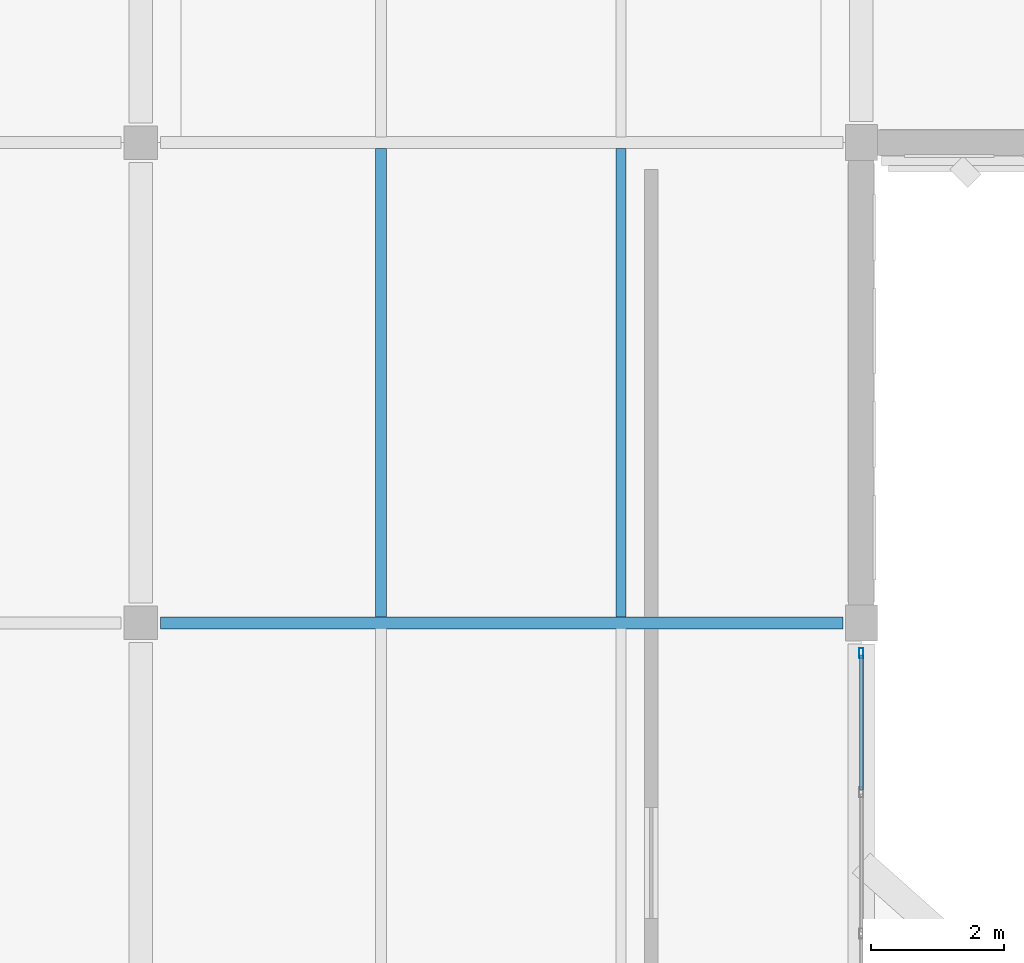
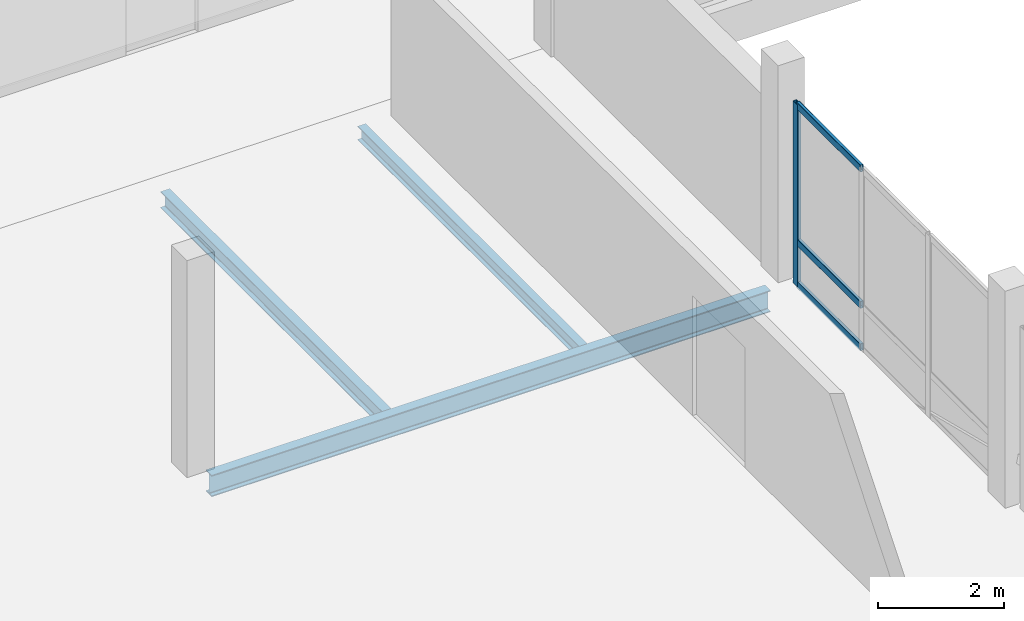
# One storey, part 18 of 72: 4 members, 3 beams, 1 element without a shape of its own.
"""IFC4 building model written with IfcOpenShell, lengths in metres."""

from ifc_helpers import new_model, si_unit, direction, frame, origin, origin_2d, place, context, subcontext, project, spatial, hollow_rectangle, i_section, extrude, material, material_profile, profile_set, type_object, element, aggregate, save


model = new_model("IFC4")

# Units and contexts
model_context = context("Model", 3, precision=1e-05, world=origin(), true_north=direction((0.0, 1.0)))
body_context = subcontext(model_context, "Body", "Model", "MODEL_VIEW")
ifc_project = project(units=[si_unit("LENGTHUNIT", "METRE"), si_unit("AREAUNIT", "SQUARE_METRE"), si_unit("VOLUMEUNIT", "CUBIC_METRE"), si_unit("PLANEANGLEUNIT", "RADIAN"), si_unit("MASSUNIT", "GRAM", prefix="KILO")], contexts=[model_context])

# Site, building, storey
site_placement = place(None, origin())
site = spatial("IfcSite", under=ifc_project, at=site_placement, CompositionType="ELEMENT")
building_placement = place(site_placement, origin())
building = spatial("IfcBuilding", under=site, at=building_placement, Name="Lusvemor Sports Hall", CompositionType="ELEMENT")
storey_placement = place(building_placement, frame((0.0, 0.0, 15.0)))
storey = spatial("IfcBuildingStorey", under=building, at=storey_placement, Name="L03", CompositionType="ELEMENT", Elevation=15.0)

# Beam
ifc_material_1 = material(Name="Steel S355", Category="steel")
ifc_material_profile_1 = material_profile(ifc_material_1, i_section(OverallWidth=0.180908203125, OverallDepth=0.4169921875, WebThickness=0.010986328125, FlangeThickness=0.018310546875, FilletRadius=0.01611328125, at=origin_2d()), Name="W410x85.0")
ifc_profile_set_1 = profile_set([ifc_material_profile_1], Name="Steel S355")
beam_type_1 = type_object("IfcBeamType", Name="BEAM_ST_410H", PredefinedType="BEAM", material=ifc_profile_set_1)
beam_1_placement = place(storey_placement, frame((11.095947265625, 90.0, -0.452392578125), z_axis=(1.0, 0.0, 0.0), x_axis=(0.0, 1.0, 0.0)))
element("IfcBeam", 1, at=beam_1_placement, inside=storey, type_object=beam_type_1, Name="Beam L03 M:2-3", PredefinedType="BEAM", context=body_context, shape_type="SweptSolid", body=[
    extrude(i_section(OverallWidth=0.180908203125, OverallDepth=0.4169921875, WebThickness=0.010986328125, FlangeThickness=0.018310546875, FilletRadius=0.01611328125, at=origin_2d()), origin(), (0.0, 0.0, 1.0), 10.22802734375),
])

# Curtain wall, members
ifc_material_2 = material(Name="Thermally broken bronze-anodized aluminium", Category="aluminium")
curtain_wall_type = type_object("IfcCurtainWallType", Name="CW_WING_B", PredefinedType="NOTDEFINED", material=ifc_material_2)
curtain_wall_placement = place(storey_placement, origin())
curtain_wall = element("IfcCurtainWall", 2, at=curtain_wall_placement, inside=storey, type_object=curtain_wall_type, Name="Curtain Wall CW-L03-E-4-4", PredefinedType="NOTDEFINED")
ifc_material_3 = material(Name="Thermally broken bronze-anodized aluminium", Category="aluminium")
ifc_material_profile_2 = material_profile(ifc_material_3, hollow_rectangle(XDim=0.06494140625, YDim=0.14990234375, WallThickness=0.00390625, InnerFilletRadius=0.00390625, OuterFilletRadius=0.008056640625, at=origin_2d()), Name="CWMUL150x65x4")
ifc_profile_set_2 = profile_set([ifc_material_profile_2], Name="Thermally broken bronze-anodized aluminium")
member_type_1 = type_object("IfcMemberType", Name="CW_MUL_B", PredefinedType="MULLION", material=ifc_profile_set_2)
member_1_placement = place(storey_placement, frame((21.60009765625, 89.547607421875, 0.0), z_axis=(0.0, 0.0, 1.0), x_axis=(1.0, 0.0, 0.0)))
member_1 = element("IfcMember", 3, at=member_1_placement, type_object=member_type_1, Name="CW02 mullion 1", PredefinedType="MULLION", context=body_context, shape_type="SweptSolid", body=[
    extrude(hollow_rectangle(XDim=0.06494140625, YDim=0.14990234375, WallThickness=0.00390625, InnerFilletRadius=0.00390625, OuterFilletRadius=0.008056640625, at=origin_2d()), origin(), (0.0, 0.0, 1.0), 3.52001953125),
])
ifc_material_4 = material(Name="Thermally broken bronze-anodized aluminium", Category="aluminium")
ifc_material_profile_3 = material_profile(ifc_material_4, hollow_rectangle(XDim=0.06005859375, YDim=0.135009765625, WallThickness=0.00390625, InnerFilletRadius=0.00390625, OuterFilletRadius=0.008056640625, at=origin_2d()), Name="CWTRN135x60x4")
ifc_profile_set_3 = profile_set([ifc_material_profile_3], Name="Thermally broken bronze-anodized aluminium")
member_type_2 = type_object("IfcMemberType", Name="CW_TRN_B", PredefinedType="USERDEFINED", material=ifc_profile_set_3)
member_2_placement = place(storey_placement, frame((21.60009765625, 89.514892578125, 0.030029296875), z_axis=(0.0, -1.0, 0.0), x_axis=(1.0, 0.0, 0.0)))
member_2 = element("IfcMember", 4, at=member_2_placement, type_object=member_type_2, Name="CW02 transom 1.1", ObjectType="TRANSOM", PredefinedType="USERDEFINED", context=body_context, shape_type="SweptSolid", body=[
    extrude(hollow_rectangle(XDim=0.06005859375, YDim=0.135009765625, WallThickness=0.00390625, InnerFilletRadius=0.00390625, OuterFilletRadius=0.008056640625, at=origin_2d()), origin(), (0.0, 0.0, 1.0), 2.0224609375),
])
member_3_placement = place(storey_placement, frame((21.60009765625, 89.514892578125, 0.85009765625), z_axis=(0.0, -1.0, 0.0), x_axis=(1.0, 0.0, 0.0)))
member_3 = element("IfcMember", 5, at=member_3_placement, type_object=member_type_2, Name="CW02 transom 1.2", ObjectType="TRANSOM", PredefinedType="USERDEFINED", context=body_context, shape_type="SweptSolid", body=[
    extrude(hollow_rectangle(XDim=0.06005859375, YDim=0.135009765625, WallThickness=0.00390625, InnerFilletRadius=0.00390625, OuterFilletRadius=0.008056640625, at=origin_2d()), origin(), (0.0, 0.0, 1.0), 2.0224609375),
])
member_4_placement = place(storey_placement, frame((21.60009765625, 89.514892578125, 3.489990234375), z_axis=(0.0, -1.0, 0.0), x_axis=(1.0, 0.0, 0.0)))
member_4 = element("IfcMember", 6, at=member_4_placement, type_object=member_type_2, Name="CW02 transom 1.3", ObjectType="TRANSOM", PredefinedType="USERDEFINED", context=body_context, shape_type="SweptSolid", body=[
    extrude(hollow_rectangle(XDim=0.06005859375, YDim=0.135009765625, WallThickness=0.00390625, InnerFilletRadius=0.00390625, OuterFilletRadius=0.008056640625, at=origin_2d()), origin(), (0.0, 0.0, 1.0), 2.0224609375),
])
aggregate(curtain_wall, [member_1, member_2, member_3, member_4])

# Beams
ifc_material_5 = material(Name="Steel S355", Category="steel")
ifc_material_profile_4 = material_profile(ifc_material_5, i_section(OverallWidth=0.14794921875, OverallDepth=0.26611328125, WebThickness=0.007568359375, FlangeThickness=0.012939453125, FilletRadius=0.012939453125, at=origin_2d()), Name="W250x44.8")
ifc_profile_set_4 = profile_set([ifc_material_profile_4], Name="Steel S355")
beam_type_2 = type_object("IfcBeamType", Name="JOIST_ST_250M", PredefinedType="JOIST", material=ifc_profile_set_4)
beam_2_placement = place(storey_placement, frame((18.0, 90.08642578125, -0.376953125), z_axis=(0.0, 1.0, 0.0), x_axis=(-1.0, 0.0, 0.0)))
element("IfcBeam", 7, at=beam_2_placement, inside=storey, type_object=beam_type_2, Name="Secondary Joist L03 2-3/M-N #2", PredefinedType="JOIST", context=body_context, shape_type="SweptSolid", body=[
    extrude(i_section(OverallWidth=0.14794921875, OverallDepth=0.26611328125, WebThickness=0.007568359375, FlangeThickness=0.012939453125, FilletRadius=0.012939453125, at=origin_2d()), origin(), (0.0, 0.0, 1.0), 7.027099609375),
])
ifc_material_6 = material(Name="Steel S355", Category="steel")
ifc_material_profile_5 = material_profile(ifc_material_6, i_section(OverallWidth=0.1669921875, OverallDepth=0.31689453125, WebThickness=0.007568359375, FlangeThickness=0.01318359375, FilletRadius=0.014892578125, at=origin_2d()), Name="W310x52.0")
ifc_profile_set_5 = profile_set([ifc_material_profile_5], Name="Steel S355")
beam_type_3 = type_object("IfcBeamType", Name="JOIST_ST_310M", PredefinedType="JOIST", material=ifc_profile_set_5)
beam_3_placement = place(storey_placement, frame((14.39990234375, 90.08642578125, -0.402587890625), z_axis=(0.0, 1.0, 0.0), x_axis=(-1.0, 0.0, 0.0)))
element("IfcBeam", 8, at=beam_3_placement, inside=storey, type_object=beam_type_3, Name="Secondary Joist L03 2-3/M-N #1", PredefinedType="JOIST", context=body_context, shape_type="SweptSolid", body=[
    extrude(i_section(OverallWidth=0.1669921875, OverallDepth=0.31689453125, WebThickness=0.007568359375, FlangeThickness=0.01318359375, FilletRadius=0.014892578125, at=origin_2d()), origin(), (0.0, 0.0, 1.0), 7.027099609375),
])

save(model, "model.ifc")
